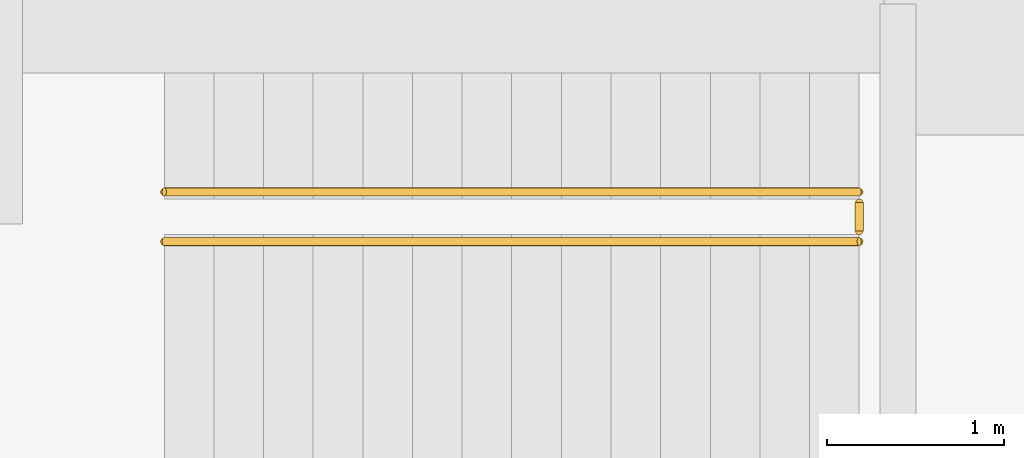
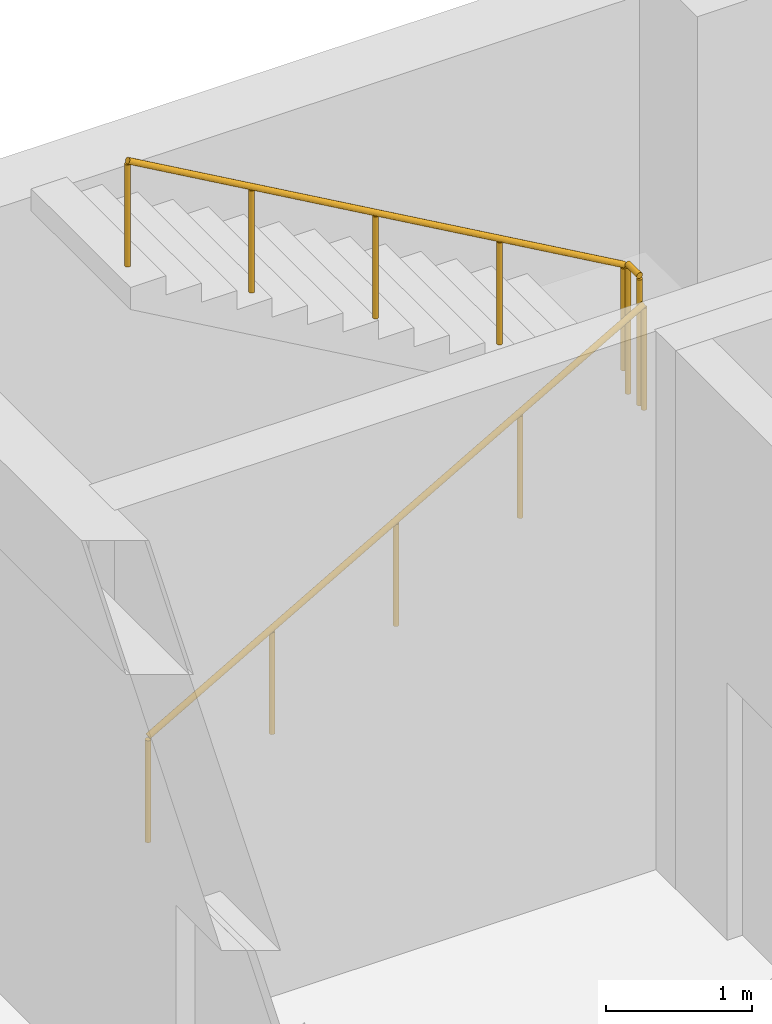
# One storey, part 34 of 35: 3 railings.
"""IFC4 building model written with IfcOpenShell, lengths in metres."""

from ifc_helpers import new_model, si_unit, direction, frame, origin, origin_2d, place, context, subcontext, project, spatial, circle, extrude, material, type_object, element, save


model = new_model("IFC4")

# Units and contexts
model_context = context("Model", 3, precision=1e-05, world=origin(), true_north=direction((0.0, 1.0)))
body_context = subcontext(model_context, "Body", "Model", "MODEL_VIEW")
ifc_project = project(units=[si_unit("LENGTHUNIT", "METRE"), si_unit("AREAUNIT", "SQUARE_METRE"), si_unit("VOLUMEUNIT", "CUBIC_METRE"), si_unit("PLANEANGLEUNIT", "RADIAN"), si_unit("MASSUNIT", "GRAM", prefix="KILO")], contexts=[model_context])

# Site, building, storey
site_placement = place(None, origin())
site = spatial("IfcSite", under=ifc_project, at=site_placement, CompositionType="ELEMENT")
building_placement = place(site_placement, origin())
building = spatial("IfcBuilding", under=site, at=building_placement, Name="Cinchona Park Media Centre", CompositionType="ELEMENT")
storey_placement = place(building_placement, frame((0.0, 0.0, -4.800048828125)))
storey = spatial("IfcBuildingStorey", under=building, at=storey_placement, Name="B1", CompositionType="ELEMENT", Elevation=-4.800048828125)

# Railings
ifc_material_1 = material(Name="Painted Steel Stairwell Guardrail", Category="steel")
railing_type_1 = type_object("IfcRailingType", Name="RAILING-GR02", PredefinedType="GUARDRAIL", material=ifc_material_1)
railing_1_placement = place(storey_placement, frame((170.02001953125, 116.1201171875, 2.400146484375)))
element("IfcRailing", 1, at=railing_1_placement, inside=storey, type_object=railing_type_1, Name="Half-Landing Guardrail GR02 ST2 B1", PredefinedType="GUARDRAIL", context=body_context, shape_type="SweptSolid", body=[
    extrude(circle(Radius=0.02392578125, at=origin_2d()), frame((0.0, 0.0, 1.076171875), z_axis=(0.0, 1.0, 0.0), x_axis=(-1.0, 0.0, 0.0)), (0.0, 0.0, 1.0), 0.159912109375),
    extrude(circle(Radius=0.02099609375, at=origin_2d()), origin(), (0.0, 0.0, 1.0), 1.052001953125),
    extrude(circle(Radius=0.02099609375, at=origin_2d()), frame((0.0, 0.159912109375, 0.0)), (0.0, 0.0, 1.0), 1.052001953125),
])
ifc_material_2 = material(Name="Brushed Stainless Steel Handrail", Category="steel")
railing_type_2 = type_object("IfcRailingType", Name="RAILING-HR01", PredefinedType="HANDRAIL", material=ifc_material_2)
railing_2_placement = place(storey_placement, frame((166.10009765625, 116.06005859375, 0.16015625)))
element("IfcRailing", 2, at=railing_2_placement, inside=storey, type_object=railing_type_2, Name="Stair Handrail HR01 ST2 B1 F1", PredefinedType="HANDRAIL", context=body_context, shape_type="SweptSolid", body=[
    extrude(circle(Radius=0.02392578125, at=origin_2d()), frame((0.0, 0.0, 0.8759765625), z_axis=(0.868239814368, 0.0, 0.496144761885), x_axis=(0.0, 1.0, 0.0)), (0.0, 0.0, 1.0), 4.514892578125),
    extrude(circle(Radius=0.02099609375, at=origin_2d()), origin(), (0.0, 0.0, 1.0), 0.851806640625),
    extrude(circle(Radius=0.02099609375, at=origin_2d()), frame((0.97998046875, 0.0, 0.56005859375)), (0.0, 0.0, 1.0), 0.851806640625),
    extrude(circle(Radius=0.02099609375, at=origin_2d()), frame((1.9599609375, 0.0, 1.1201171875)), (0.0, 0.0, 1.0), 0.851806640625),
    extrude(circle(Radius=0.02099609375, at=origin_2d()), frame((2.93994140625, 0.0, 1.679931640625)), (0.0, 0.0, 1.0), 0.851806640625),
    extrude(circle(Radius=0.02099609375, at=origin_2d()), frame((3.919921875, 0.0, 2.239990234375)), (0.0, 0.0, 1.0), 0.851806640625),
])
railing_3_placement = place(storey_placement, frame((170.02001953125, 116.340087890625, 2.56005859375)))
element("IfcRailing", 3, at=railing_3_placement, inside=storey, type_object=railing_type_2, Name="Stair Handrail HR01 ST2 B1 F2", PredefinedType="HANDRAIL", context=body_context, shape_type="SweptSolid", body=[
    extrude(circle(Radius=0.02392578125, at=origin_2d()), frame((0.0, 0.0, 0.8759765625), z_axis=(-0.868239814368, 0.0, 0.496144761885), x_axis=(0.0, -1.0, 0.0)), (0.0, 0.0, 1.0), 4.514892578125),
    extrude(circle(Radius=0.02099609375, at=origin_2d()), origin(), (0.0, 0.0, 1.0), 0.851806640625),
    extrude(circle(Radius=0.02099609375, at=origin_2d()), frame((-0.97998046875, 0.0, 0.56005859375)), (0.0, 0.0, 1.0), 0.851806640625),
    extrude(circle(Radius=0.02099609375, at=origin_2d()), frame((-1.9599609375, 0.0, 1.1201171875)), (0.0, 0.0, 1.0), 0.851806640625),
    extrude(circle(Radius=0.02099609375, at=origin_2d()), frame((-2.93994140625, 0.0, 1.679931640625)), (0.0, 0.0, 1.0), 0.851806640625),
    extrude(circle(Radius=0.02099609375, at=origin_2d()), frame((-3.919921875, 0.0, 2.239990234375)), (0.0, 0.0, 1.0), 0.851806640625),
])

save(model, "model.ifc")
